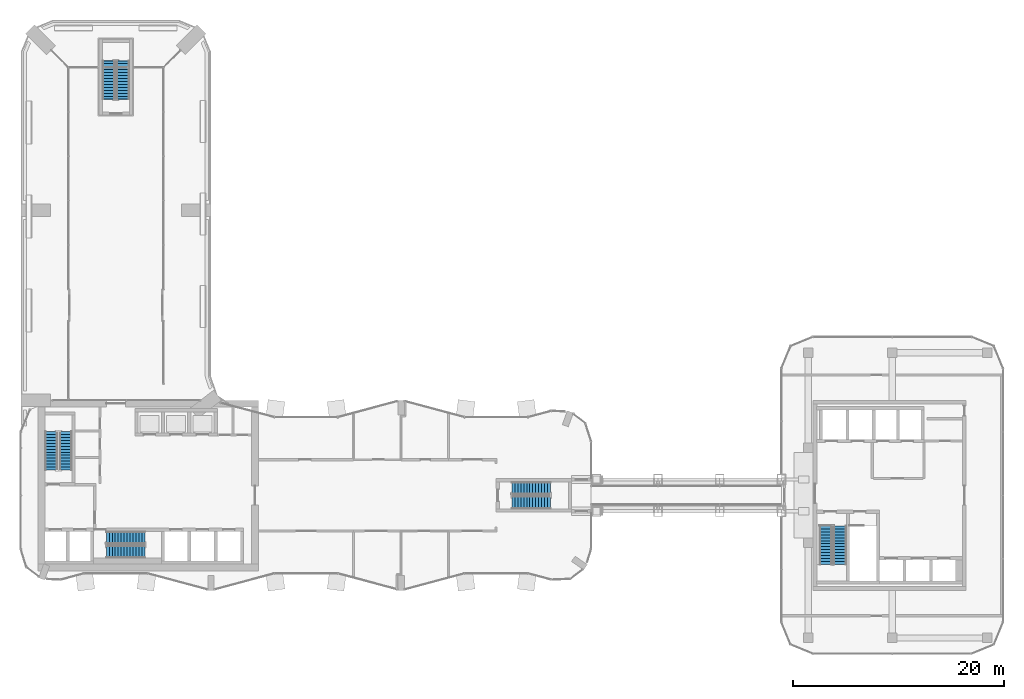
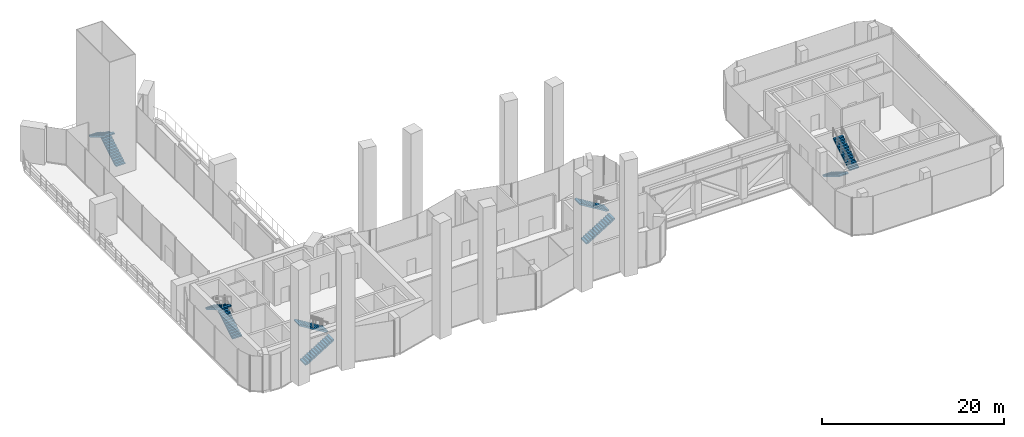
# One storey, part 19 of 23: 10 stair flights, 5 elements without a shape of their own.
"""IFC4 building model written with IfcOpenShell, lengths in metres."""

from ifc_helpers import new_model, si_unit, direction, frame, origin, place, context, subcontext, project, spatial, polyline, outline, extrude, material, type_object, element, aggregate, save


model = new_model("IFC4")

# Units and contexts
model_context = context("Model", 3, precision=1e-05, world=origin(), true_north=direction((0.0, 1.0)))
body_context = subcontext(model_context, "Body", "Model", "MODEL_VIEW")
ifc_project = project(units=[si_unit("LENGTHUNIT", "METRE"), si_unit("AREAUNIT", "SQUARE_METRE"), si_unit("VOLUMEUNIT", "CUBIC_METRE"), si_unit("PLANEANGLEUNIT", "RADIAN"), si_unit("MASSUNIT", "GRAM", prefix="KILO")], contexts=[model_context])

# Site, building, storey
site_placement = place(None, origin())
site = spatial("IfcSite", under=ifc_project, at=site_placement, CompositionType="ELEMENT")
building_placement = place(site_placement, origin())
building = spatial("IfcBuilding", under=site, at=building_placement, Name="Plateau Cross Towers", CompositionType="ELEMENT")
storey_placement = place(building_placement, frame((0.0, 0.0, 123.800048828125)))
storey = spatial("IfcBuildingStorey", under=building, at=storey_placement, Name="L32", CompositionType="ELEMENT", Elevation=123.800048828125)

# Stair, stair flights
ifc_material = material(Name="Concrete C40/50", Category="concrete")
stair_type = type_object("IfcStairType", Name="ST-TWR", PredefinedType="HALF_TURN_STAIR", material=ifc_material)
stair_1_placement = place(storey_placement, origin())
stair_1 = element("IfcStair", 1, at=stair_1_placement, inside=storey, type_object=stair_type, Name="L32 Protected Exit Stair ST-1", PredefinedType="HALF_TURN_STAIR")
stair_flight_type = type_object("IfcStairFlightType", Name="SFL-RC", PredefinedType="STRAIGHT", material=ifc_material)
stair_flight_1_placement = place(storey_placement, frame((4.25, 11.39990234375, 0.0), z_axis=(0.0, 0.0, 1.0), x_axis=(0.0, 1.0, 0.0)))
stair_flight_1 = element("IfcStairFlight", 2, at=stair_flight_1_placement, type_object=stair_flight_type, Name="ST-1 flight 1", NumberOfRisers=14, NumberOfTreads=13, PredefinedType="STRAIGHT", RiserHeight=0.171428571, TreadLength=0.28, context=body_context, shape_type="SweptSolid", body=[
    extrude(outline(polyline([(-0.0048828125, -0.010009765625), (-0.0048828125, 0.0), (0.0, 0.0), (0.0, 0.17138671875), (0.280029296875, 0.17138671875), (0.280029296875, 0.3427734375), (0.56005859375, 0.3427734375), (0.56005859375, 0.514404296875), (0.840087890625, 0.514404296875), (0.840087890625, 0.685791015625), (1.1201171875, 0.685791015625), (1.1201171875, 0.857177734375), (1.39990234375, 0.857177734375), (1.39990234375, 1.028564453125), (1.679931640625, 1.028564453125), (1.679931640625, 1.199951171875), (1.9599609375, 1.199951171875), (1.9599609375, 1.371337890625), (2.239990234375, 1.371337890625), (2.239990234375, 1.54296875), (2.52001953125, 1.54296875), (2.52001953125, 1.71435546875), (2.800048828125, 1.71435546875), (2.800048828125, 1.8857421875), (3.080078125, 1.8857421875), (3.080078125, 2.05712890625), (3.360107421875, 2.05712890625), (3.360107421875, 2.228515625), (3.639892578125, 2.228515625), (3.64501953125, 2.218505859375), (3.64501953125, 2.052734375), (3.639892578125, 2.052734375), (0.287109375, 0.0), (0.02001953125, 0.0), (0.02001953125, -0.010009765625), (-0.0048828125, -0.010009765625)])), frame((0.0, 0.60009765625, 0.0), z_axis=(0.0, -1.0, 0.0), x_axis=(1.0, 0.0, 0.0)), (0.0, 0.0, 1.0), 1.199951171875),
])
stair_flight_2_placement = place(storey_placement, frame((2.89990234375, 15.0400390625, 2.39990234375), z_axis=(0.0, 0.0, 1.0), x_axis=(0.0, -1.0, 0.0)))
stair_flight_2 = element("IfcStairFlight", 3, at=stair_flight_2_placement, type_object=stair_flight_type, Name="ST-1 flight 2", NumberOfRisers=14, NumberOfTreads=13, PredefinedType="STRAIGHT", RiserHeight=0.171428571, TreadLength=0.28, context=body_context, shape_type="SweptSolid", body=[
    extrude(outline(polyline([(-0.0048828125, -0.010009765625), (-0.0048828125, 0.0), (0.0, 0.0), (0.0, 0.17138671875), (0.280029296875, 0.17138671875), (0.280029296875, 0.3427734375), (0.56005859375, 0.3427734375), (0.56005859375, 0.514404296875), (0.840087890625, 0.514404296875), (0.840087890625, 0.685791015625), (1.1201171875, 0.685791015625), (1.1201171875, 0.857177734375), (1.39990234375, 0.857177734375), (1.39990234375, 1.028564453125), (1.679931640625, 1.028564453125), (1.679931640625, 1.199951171875), (1.9599609375, 1.199951171875), (1.9599609375, 1.371337890625), (2.239990234375, 1.371337890625), (2.239990234375, 1.54296875), (2.52001953125, 1.54296875), (2.52001953125, 1.71435546875), (2.800048828125, 1.71435546875), (2.800048828125, 1.8857421875), (3.080078125, 1.8857421875), (3.080078125, 2.05712890625), (3.360107421875, 2.05712890625), (3.360107421875, 2.228515625), (3.639892578125, 2.228515625), (3.64501953125, 2.218505859375), (3.64501953125, 2.052734375), (3.639892578125, 2.052734375), (0.287109375, 0.0), (0.02001953125, 0.0), (0.02001953125, -0.010009765625), (-0.0048828125, -0.010009765625)])), frame((0.0, 0.60009765625, 0.0), z_axis=(0.0, -1.0, 0.0), x_axis=(1.0, 0.0, 0.0)), (0.0, 0.0, 1.0), 1.199951171875),
])
aggregate(stair_1, [stair_flight_1, stair_flight_2])

stair_2_placement = place(storey_placement, origin())
stair_2 = element("IfcStair", 4, at=stair_2_placement, inside=storey, type_object=stair_type, Name="L32 Protected Exit Stair ST-2", PredefinedType="HALF_TURN_STAIR")
stair_flight_3_placement = place(storey_placement, frame((8.10009765625, 3.64990234375, 0.0), z_axis=(0.0, 0.0, 1.0), x_axis=(1.0, 0.0, 0.0)))
stair_flight_3 = element("IfcStairFlight", 5, at=stair_flight_3_placement, type_object=stair_flight_type, Name="ST-2 flight 1", NumberOfRisers=14, NumberOfTreads=13, PredefinedType="STRAIGHT", RiserHeight=0.171428571, TreadLength=0.28, context=body_context, shape_type="SweptSolid", body=[
    extrude(outline(polyline([(-0.0048828125, -0.010009765625), (-0.0048828125, 0.0), (0.0, 0.0), (0.0, 0.17138671875), (0.280029296875, 0.17138671875), (0.280029296875, 0.3427734375), (0.56005859375, 0.3427734375), (0.56005859375, 0.514404296875), (0.840087890625, 0.514404296875), (0.840087890625, 0.685791015625), (1.1201171875, 0.685791015625), (1.1201171875, 0.857177734375), (1.39990234375, 0.857177734375), (1.39990234375, 1.028564453125), (1.679931640625, 1.028564453125), (1.679931640625, 1.199951171875), (1.9599609375, 1.199951171875), (1.9599609375, 1.371337890625), (2.239990234375, 1.371337890625), (2.239990234375, 1.54296875), (2.52001953125, 1.54296875), (2.52001953125, 1.71435546875), (2.800048828125, 1.71435546875), (2.800048828125, 1.8857421875), (3.080078125, 1.8857421875), (3.080078125, 2.05712890625), (3.360107421875, 2.05712890625), (3.360107421875, 2.228515625), (3.639892578125, 2.228515625), (3.64501953125, 2.218505859375), (3.64501953125, 2.052734375), (3.639892578125, 2.052734375), (0.287109375, 0.0), (0.02001953125, 0.0), (0.02001953125, -0.010009765625), (-0.0048828125, -0.010009765625)])), frame((0.0, 0.60009765625, 0.0), z_axis=(0.0, -1.0, 0.0), x_axis=(1.0, 0.0, 0.0)), (0.0, 0.0, 1.0), 1.199951171875),
])
stair_flight_4_placement = place(storey_placement, frame((11.739990234375, 5.0, 2.39990234375), z_axis=(0.0, 0.0, 1.0), x_axis=(-1.0, 0.0, 0.0)))
stair_flight_4 = element("IfcStairFlight", 6, at=stair_flight_4_placement, type_object=stair_flight_type, Name="ST-2 flight 2", NumberOfRisers=14, NumberOfTreads=13, PredefinedType="STRAIGHT", RiserHeight=0.171428571, TreadLength=0.28, context=body_context, shape_type="SweptSolid", body=[
    extrude(outline(polyline([(-0.0048828125, -0.010009765625), (-0.0048828125, 0.0), (0.0, 0.0), (0.0, 0.17138671875), (0.280029296875, 0.17138671875), (0.280029296875, 0.3427734375), (0.56005859375, 0.3427734375), (0.56005859375, 0.514404296875), (0.840087890625, 0.514404296875), (0.840087890625, 0.685791015625), (1.1201171875, 0.685791015625), (1.1201171875, 0.857177734375), (1.39990234375, 0.857177734375), (1.39990234375, 1.028564453125), (1.679931640625, 1.028564453125), (1.679931640625, 1.199951171875), (1.9599609375, 1.199951171875), (1.9599609375, 1.371337890625), (2.239990234375, 1.371337890625), (2.239990234375, 1.54296875), (2.52001953125, 1.54296875), (2.52001953125, 1.71435546875), (2.800048828125, 1.71435546875), (2.800048828125, 1.8857421875), (3.080078125, 1.8857421875), (3.080078125, 2.05712890625), (3.360107421875, 2.05712890625), (3.360107421875, 2.228515625), (3.639892578125, 2.228515625), (3.64501953125, 2.218505859375), (3.64501953125, 2.052734375), (3.639892578125, 2.052734375), (0.287109375, 0.0), (0.02001953125, 0.0), (0.02001953125, -0.010009765625), (-0.0048828125, -0.010009765625)])), frame((0.0, 0.60009765625, 0.0), z_axis=(0.0, -1.0, 0.0), x_axis=(1.0, 0.0, 0.0)), (0.0, 0.0, 1.0), 1.199951171875),
])
aggregate(stair_2, [stair_flight_3, stair_flight_4])

stair_3_placement = place(storey_placement, origin())
stair_3 = element("IfcStair", 7, at=stair_3_placement, inside=storey, type_object=stair_type, Name="L32 Protected Exit Stair E", PredefinedType="HALF_TURN_STAIR")
stair_flight_5_placement = place(storey_placement, frame((46.5, 8.324951171875, 0.0), z_axis=(0.0, 0.0, 1.0), x_axis=(1.0, 0.0, 0.0)))
stair_flight_5 = element("IfcStairFlight", 8, at=stair_flight_5_placement, type_object=stair_flight_type, Name="ES-E flight 1", NumberOfRisers=14, NumberOfTreads=13, PredefinedType="STRAIGHT", RiserHeight=0.171428571, TreadLength=0.28, context=body_context, shape_type="SweptSolid", body=[
    extrude(outline(polyline([(-0.0048828125, -0.010009765625), (-0.0048828125, 0.0), (0.0, 0.0), (0.0, 0.17138671875), (0.280029296875, 0.17138671875), (0.280029296875, 0.3427734375), (0.56005859375, 0.3427734375), (0.56005859375, 0.514404296875), (0.840087890625, 0.514404296875), (0.840087890625, 0.685791015625), (1.1201171875, 0.685791015625), (1.1201171875, 0.857177734375), (1.39990234375, 0.857177734375), (1.39990234375, 1.028564453125), (1.679931640625, 1.028564453125), (1.679931640625, 1.199951171875), (1.9599609375, 1.199951171875), (1.9599609375, 1.371337890625), (2.239990234375, 1.371337890625), (2.239990234375, 1.54296875), (2.52001953125, 1.54296875), (2.52001953125, 1.71435546875), (2.800048828125, 1.71435546875), (2.800048828125, 1.8857421875), (3.080078125, 1.8857421875), (3.080078125, 2.05712890625), (3.360107421875, 2.05712890625), (3.360107421875, 2.228515625), (3.639892578125, 2.228515625), (3.64501953125, 2.218505859375), (3.64501953125, 2.052734375), (3.639892578125, 2.052734375), (0.287109375, 0.0), (0.02001953125, 0.0), (0.02001953125, -0.010009765625), (-0.0048828125, -0.010009765625)])), frame((0.0, 0.60009765625, 0.0), z_axis=(0.0, -1.0, 0.0), x_axis=(1.0, 0.0, 0.0)), (0.0, 0.0, 1.0), 1.199951171875),
])
stair_flight_6_placement = place(storey_placement, frame((50.139892578125, 9.675048828125, 2.39990234375), z_axis=(0.0, 0.0, 1.0), x_axis=(-1.0, 0.0, 0.0)))
stair_flight_6 = element("IfcStairFlight", 9, at=stair_flight_6_placement, type_object=stair_flight_type, Name="ES-E flight 2", NumberOfRisers=14, NumberOfTreads=13, PredefinedType="STRAIGHT", RiserHeight=0.171428571, TreadLength=0.28, context=body_context, shape_type="SweptSolid", body=[
    extrude(outline(polyline([(-0.0048828125, -0.010009765625), (-0.0048828125, 0.0), (0.0, 0.0), (0.0, 0.17138671875), (0.280029296875, 0.17138671875), (0.280029296875, 0.3427734375), (0.56005859375, 0.3427734375), (0.56005859375, 0.514404296875), (0.840087890625, 0.514404296875), (0.840087890625, 0.685791015625), (1.1201171875, 0.685791015625), (1.1201171875, 0.857177734375), (1.39990234375, 0.857177734375), (1.39990234375, 1.028564453125), (1.679931640625, 1.028564453125), (1.679931640625, 1.199951171875), (1.9599609375, 1.199951171875), (1.9599609375, 1.371337890625), (2.239990234375, 1.371337890625), (2.239990234375, 1.54296875), (2.52001953125, 1.54296875), (2.52001953125, 1.71435546875), (2.800048828125, 1.71435546875), (2.800048828125, 1.8857421875), (3.080078125, 1.8857421875), (3.080078125, 2.05712890625), (3.360107421875, 2.05712890625), (3.360107421875, 2.228515625), (3.639892578125, 2.228515625), (3.64501953125, 2.218505859375), (3.64501953125, 2.052734375), (3.639892578125, 2.052734375), (0.287109375, 0.0), (0.02001953125, 0.0), (0.02001953125, -0.010009765625), (-0.0048828125, -0.010009765625)])), frame((0.0, 0.60009765625, 0.0), z_axis=(0.0, -1.0, 0.0), x_axis=(1.0, 0.0, 0.0)), (0.0, 0.0, 1.0), 1.199951171875),
])
aggregate(stair_3, [stair_flight_5, stair_flight_6])

stair_4_placement = place(storey_placement, origin())
stair_4 = element("IfcStair", 10, at=stair_4_placement, inside=storey, type_object=stair_type, Name="L32 Protected Exit Stair N", PredefinedType="HALF_TURN_STAIR")
stair_flight_7_placement = place(storey_placement, frame((9.675048828125, 46.5, 0.0), z_axis=(0.0, 0.0, 1.0), x_axis=(0.0, 1.0, 0.0)))
stair_flight_7 = element("IfcStairFlight", 11, at=stair_flight_7_placement, type_object=stair_flight_type, Name="ES-N flight 1", NumberOfRisers=14, NumberOfTreads=13, PredefinedType="STRAIGHT", RiserHeight=0.171428571, TreadLength=0.28, context=body_context, shape_type="SweptSolid", body=[
    extrude(outline(polyline([(-0.0048828125, -0.010009765625), (-0.0048828125, 0.0), (0.0, 0.0), (0.0, 0.17138671875), (0.280029296875, 0.17138671875), (0.280029296875, 0.3427734375), (0.56005859375, 0.3427734375), (0.56005859375, 0.514404296875), (0.840087890625, 0.514404296875), (0.840087890625, 0.685791015625), (1.1201171875, 0.685791015625), (1.1201171875, 0.857177734375), (1.39990234375, 0.857177734375), (1.39990234375, 1.028564453125), (1.679931640625, 1.028564453125), (1.679931640625, 1.199951171875), (1.9599609375, 1.199951171875), (1.9599609375, 1.371337890625), (2.239990234375, 1.371337890625), (2.239990234375, 1.54296875), (2.52001953125, 1.54296875), (2.52001953125, 1.71435546875), (2.800048828125, 1.71435546875), (2.800048828125, 1.8857421875), (3.080078125, 1.8857421875), (3.080078125, 2.05712890625), (3.360107421875, 2.05712890625), (3.360107421875, 2.228515625), (3.639892578125, 2.228515625), (3.64501953125, 2.218505859375), (3.64501953125, 2.052734375), (3.639892578125, 2.052734375), (0.287109375, 0.0), (0.02001953125, 0.0), (0.02001953125, -0.010009765625), (-0.0048828125, -0.010009765625)])), frame((0.0, 0.60009765625, 0.0), z_axis=(0.0, -1.0, 0.0), x_axis=(1.0, 0.0, 0.0)), (0.0, 0.0, 1.0), 1.199951171875),
])
stair_flight_8_placement = place(storey_placement, frame((8.324951171875, 50.139892578125, 2.39990234375), z_axis=(0.0, 0.0, 1.0), x_axis=(0.0, -1.0, 0.0)))
stair_flight_8 = element("IfcStairFlight", 12, at=stair_flight_8_placement, type_object=stair_flight_type, Name="ES-N flight 2", NumberOfRisers=14, NumberOfTreads=13, PredefinedType="STRAIGHT", RiserHeight=0.171428571, TreadLength=0.28, context=body_context, shape_type="SweptSolid", body=[
    extrude(outline(polyline([(-0.0048828125, -0.010009765625), (-0.0048828125, 0.0), (0.0, 0.0), (0.0, 0.17138671875), (0.280029296875, 0.17138671875), (0.280029296875, 0.3427734375), (0.56005859375, 0.3427734375), (0.56005859375, 0.514404296875), (0.840087890625, 0.514404296875), (0.840087890625, 0.685791015625), (1.1201171875, 0.685791015625), (1.1201171875, 0.857177734375), (1.39990234375, 0.857177734375), (1.39990234375, 1.028564453125), (1.679931640625, 1.028564453125), (1.679931640625, 1.199951171875), (1.9599609375, 1.199951171875), (1.9599609375, 1.371337890625), (2.239990234375, 1.371337890625), (2.239990234375, 1.54296875), (2.52001953125, 1.54296875), (2.52001953125, 1.71435546875), (2.800048828125, 1.71435546875), (2.800048828125, 1.8857421875), (3.080078125, 1.8857421875), (3.080078125, 2.05712890625), (3.360107421875, 2.05712890625), (3.360107421875, 2.228515625), (3.639892578125, 2.228515625), (3.64501953125, 2.218505859375), (3.64501953125, 2.052734375), (3.639892578125, 2.052734375), (0.287109375, 0.0), (0.02001953125, 0.0), (0.02001953125, -0.010009765625), (-0.0048828125, -0.010009765625)])), frame((0.0, 0.60009765625, 0.0), z_axis=(0.0, -1.0, 0.0), x_axis=(1.0, 0.0, 0.0)), (0.0, 0.0, 1.0), 1.199951171875),
])
aggregate(stair_4, [stair_flight_7, stair_flight_8])

stair_5_placement = place(storey_placement, origin())
stair_5 = element("IfcStair", 13, at=stair_5_placement, inside=storey, type_object=stair_type, Name="L32 Protected Exit Stair SB-1", PredefinedType="HALF_TURN_STAIR")
stair_flight_9_placement = place(storey_placement, frame((76.199951171875, 6.10009765625, 0.0), z_axis=(0.0, 0.0, 1.0), x_axis=(0.0, -1.0, 0.0)))
stair_flight_9 = element("IfcStairFlight", 14, at=stair_flight_9_placement, type_object=stair_flight_type, Name="SB-1 flight 1", NumberOfRisers=14, NumberOfTreads=13, PredefinedType="STRAIGHT", RiserHeight=0.171428571, TreadLength=0.28, context=body_context, shape_type="SweptSolid", body=[
    extrude(outline(polyline([(-0.0048828125, -0.010009765625), (-0.0048828125, 0.0), (0.0, 0.0), (0.0, 0.17138671875), (0.280029296875, 0.17138671875), (0.280029296875, 0.3427734375), (0.56005859375, 0.3427734375), (0.56005859375, 0.514404296875), (0.840087890625, 0.514404296875), (0.840087890625, 0.685791015625), (1.1201171875, 0.685791015625), (1.1201171875, 0.857177734375), (1.39990234375, 0.857177734375), (1.39990234375, 1.028564453125), (1.679931640625, 1.028564453125), (1.679931640625, 1.199951171875), (1.9599609375, 1.199951171875), (1.9599609375, 1.371337890625), (2.239990234375, 1.371337890625), (2.239990234375, 1.54296875), (2.52001953125, 1.54296875), (2.52001953125, 1.71435546875), (2.800048828125, 1.71435546875), (2.800048828125, 1.8857421875), (3.080078125, 1.8857421875), (3.080078125, 2.05712890625), (3.360107421875, 2.05712890625), (3.360107421875, 2.228515625), (3.639892578125, 2.228515625), (3.64501953125, 2.218505859375), (3.64501953125, 2.052734375), (3.639892578125, 2.052734375), (0.287109375, 0.0), (0.02001953125, 0.0), (0.02001953125, -0.010009765625), (-0.0048828125, -0.010009765625)])), frame((0.0, 0.60009765625, 0.0), z_axis=(0.0, -1.0, 0.0), x_axis=(1.0, 0.0, 0.0)), (0.0, 0.0, 1.0), 1.199951171875),
])
stair_flight_10_placement = place(storey_placement, frame((77.550048828125, 2.4599609375, 2.39990234375), z_axis=(0.0, 0.0, 1.0), x_axis=(0.0, 1.0, 0.0)))
stair_flight_10 = element("IfcStairFlight", 15, at=stair_flight_10_placement, type_object=stair_flight_type, Name="SB-1 flight 2", NumberOfRisers=14, NumberOfTreads=13, PredefinedType="STRAIGHT", RiserHeight=0.171428571, TreadLength=0.28, context=body_context, shape_type="SweptSolid", body=[
    extrude(outline(polyline([(-0.0048828125, -0.010009765625), (-0.0048828125, 0.0), (0.0, 0.0), (0.0, 0.17138671875), (0.280029296875, 0.17138671875), (0.280029296875, 0.3427734375), (0.56005859375, 0.3427734375), (0.56005859375, 0.514404296875), (0.840087890625, 0.514404296875), (0.840087890625, 0.685791015625), (1.1201171875, 0.685791015625), (1.1201171875, 0.857177734375), (1.39990234375, 0.857177734375), (1.39990234375, 1.028564453125), (1.679931640625, 1.028564453125), (1.679931640625, 1.199951171875), (1.9599609375, 1.199951171875), (1.9599609375, 1.371337890625), (2.239990234375, 1.371337890625), (2.239990234375, 1.54296875), (2.52001953125, 1.54296875), (2.52001953125, 1.71435546875), (2.800048828125, 1.71435546875), (2.800048828125, 1.8857421875), (3.080078125, 1.8857421875), (3.080078125, 2.05712890625), (3.360107421875, 2.05712890625), (3.360107421875, 2.228515625), (3.639892578125, 2.228515625), (3.64501953125, 2.218505859375), (3.64501953125, 2.052734375), (3.639892578125, 2.052734375), (0.287109375, 0.0), (0.02001953125, 0.0), (0.02001953125, -0.010009765625), (-0.0048828125, -0.010009765625)])), frame((0.0, 0.60009765625, 0.0), z_axis=(0.0, -1.0, 0.0), x_axis=(1.0, 0.0, 0.0)), (0.0, 0.0, 1.0), 1.199951171875),
])
aggregate(stair_5, [stair_flight_9, stair_flight_10])

save(model, "model.ifc")
